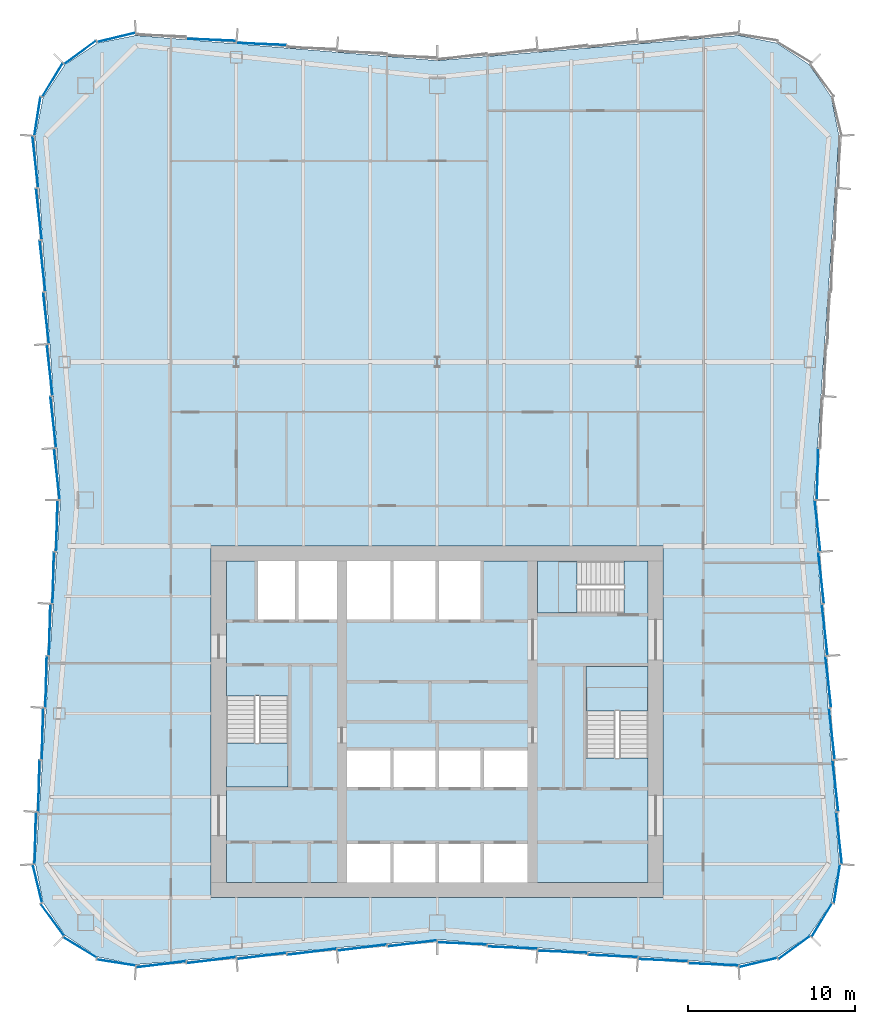
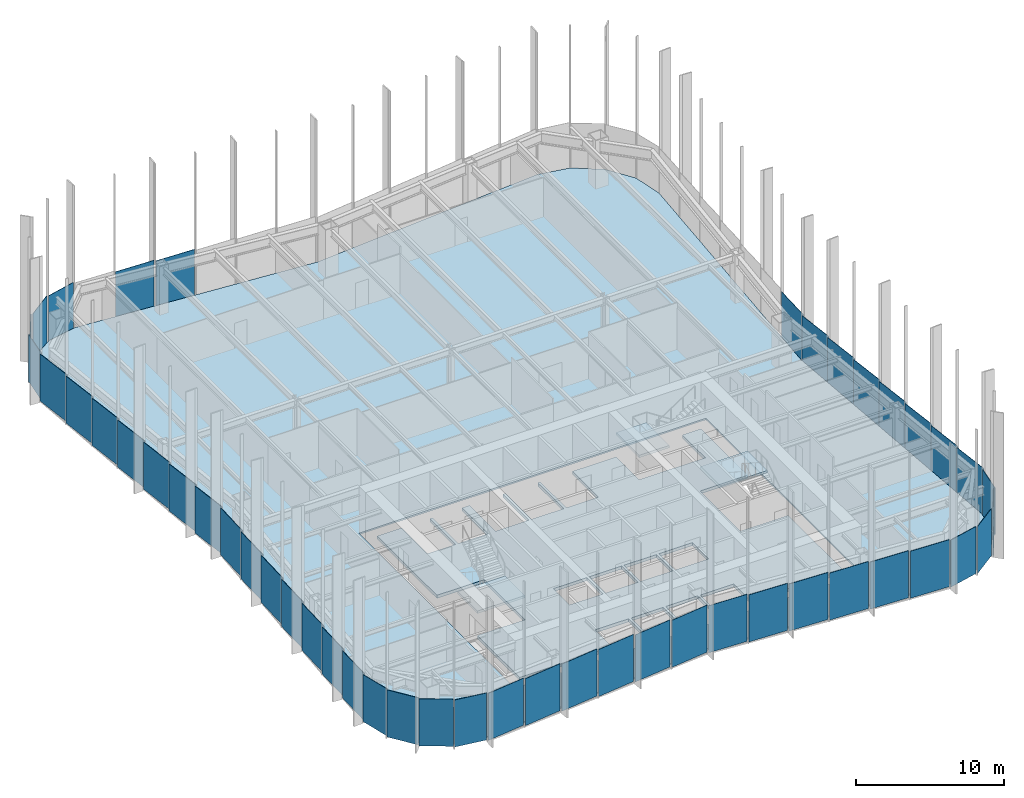
# One storey, part 8 of 13: 48 plates, 5 slabs, 10 elements without a shape of their own.
"""IFC4 building model written with IfcOpenShell, lengths in metres."""

from ifc_helpers import new_model, si_unit, direction, frame, origin, origin_2d, place, context, subcontext, project, spatial, polyline, rectangle, outline, extrude, material, layer, layer_set, type_object, element, aggregate, save


model = new_model("IFC4")

# Units and contexts
model_context = context("Model", 3, precision=1e-05, world=origin(), true_north=direction((0.0, 1.0)))
body_context = subcontext(model_context, "Body", "Model", "MODEL_VIEW")
ifc_project = project(units=[si_unit("LENGTHUNIT", "METRE"), si_unit("AREAUNIT", "SQUARE_METRE"), si_unit("VOLUMEUNIT", "CUBIC_METRE"), si_unit("PLANEANGLEUNIT", "RADIAN"), si_unit("MASSUNIT", "GRAM", prefix="KILO")], contexts=[model_context])

# Site, building, storey
site_placement = place(None, origin())
site = spatial("IfcSite", under=ifc_project, at=site_placement, CompositionType="ELEMENT")
building_placement = place(site_placement, origin())
building = spatial("IfcBuilding", under=site, at=building_placement, Name="Verdant Reach Tower", CompositionType="ELEMENT")
storey_placement = place(building_placement, frame((0.0, 0.0, 206.0)))
storey = spatial("IfcBuildingStorey", under=building, at=storey_placement, Name="L47", CompositionType="ELEMENT", Elevation=206.0)

# Stair, slab
ifc_material_1 = material(Name="Concrete C40/50", Category="concrete")
stair_type = type_object("IfcStairType", Name="CO-STAIR", PredefinedType="HALF_TURN_STAIR", material=ifc_material_1)
stair_1_placement = place(storey_placement, origin())
stair_1 = element("IfcStair", 1, at=stair_1_placement, inside=storey, type_object=stair_type, Name="L47 Exit stair 1", PredefinedType="HALF_TURN_STAIR")
ifc_layer_1 = layer(ifc_material_1, 0.199951171875)
ifc_layer_set_1 = layer_set([ifc_layer_1], Name="CO-STAIR-LANDING")
slab_type_1 = type_object("IfcSlabType", Name="CO-STAIR-LANDING", PredefinedType="LANDING", material=ifc_layer_set_1)
slab_1_placement = place(storey_placement, frame((0.0, 0.0, 1.800048828125)))
slab_1 = element("IfcSlab", 2, at=slab_1_placement, type_object=slab_type_1, Name="ST-1 landing 1", PredefinedType="LANDING", context=body_context, shape_type="SweptSolid", body=[
    extrude(outline(polyline([(-12.60009765625, 26.75), (-12.60009765625, 24.10009765625), (-8.89990234375, 24.10009765625), (-8.89990234375, 26.75), (-12.60009765625, 26.75)])), origin(), (0.0, 0.0, 1.0), 0.199951171875),
])
aggregate(stair_1, [slab_1])

stair_2_placement = place(storey_placement, origin())
stair_2 = element("IfcStair", 3, at=stair_2_placement, inside=storey, type_object=stair_type, Name="L47 Exit stair 2", PredefinedType="HALF_TURN_STAIR")
slab_2_placement = place(storey_placement, frame((0.0, 0.0, 1.800048828125)))
slab_2 = element("IfcSlab", 4, at=slab_2_placement, type_object=slab_type_1, Name="ST-2 landing 1", PredefinedType="LANDING", context=body_context, shape_type="SweptSolid", body=[
    extrude(outline(polyline([(12.60009765625, 28.64990234375), (12.60009765625, 31.300048828125), (8.89990234375, 31.300048828125), (8.89990234375, 28.64990234375), (12.60009765625, 28.64990234375)])), origin(), (0.0, 0.0, 1.0), 0.199951171875),
])
aggregate(stair_2, [slab_2])

stair_3_placement = place(storey_placement, origin())
stair_3 = element("IfcStair", 5, at=stair_3_placement, inside=storey, type_object=stair_type, Name="L47 Exit stair 3", PredefinedType="HALF_TURN_STAIR")
slab_3_placement = place(storey_placement, frame((0.0, 0.0, 1.800048828125)))
slab_3 = element("IfcSlab", 6, at=slab_3_placement, type_object=slab_type_1, Name="ST-3 landing 1", PredefinedType="LANDING", context=body_context, shape_type="SweptSolid", body=[
    extrude(outline(polyline([(8.35009765625, 37.60009765625), (6.0, 37.60009765625), (6.0, 34.5), (8.35009765625, 34.5), (8.35009765625, 37.60009765625)])), origin(), (0.0, 0.0, 1.0), 0.199951171875),
])
aggregate(stair_3, [slab_3])

# Curtain wall, plate
ifc_material_2 = material(Name="Anodised aluminium", Category="aluminium")
curtain_wall_type = type_object("IfcCurtainWallType", Name="EN-CW SYSTEM Z3", PredefinedType="NOTDEFINED", material=ifc_material_2)
curtain_wall_1_placement = place(storey_placement, origin())
curtain_wall_1 = element("IfcCurtainWall", 7, at=curtain_wall_1_placement, inside=storey, type_object=curtain_wall_type, Name="Curtain wall south-east corner, L47", PredefinedType="NOTDEFINED")
ifc_material_3 = material(Name="Tinted glass with champagne spandrel", Category="glass")
ifc_layer_2 = layer(ifc_material_3, 0.031982421875)
ifc_layer_set_2 = layer_set([ifc_layer_2], Name="EN-PANEL CHAMPAGNE")
plate_type_1 = type_object("IfcPlateType", Name="EN-PANEL CHAMPAGNE", PredefinedType="CURTAIN_PANEL", material=ifc_layer_set_2)
plate_1_placement = place(storey_placement, frame((19.171875, 13.62353515625, -0.22412109375), z_axis=(0.0, 0.0, 1.0), x_axis=(0.971655117833, 0.236402901821, 0.0)))
plate_1 = element("IfcPlate", 8, at=plate_1_placement, type_object=plate_type_1, Name="Glass panel south-east corner 1.1, L47", PredefinedType="CURTAIN_PANEL", context=body_context, shape_type="SweptSolid", body=[
    extrude(rectangle(XDim=2.3154296875, YDim=0.031982421875, at=origin_2d()), origin(), (0.0, 0.0, 1.0), 3.8740234375),
])

# Curtain wall, plates
curtain_wall_2_placement = place(storey_placement, origin())
curtain_wall_2 = element("IfcCurtainWall", 9, at=curtain_wall_2_placement, inside=storey, type_object=curtain_wall_type, Name="Curtain wall east, L47", PredefinedType="NOTDEFINED")
plate_2_placement = place(storey_placement, frame((23.14453125, 33.48974609375, -0.22412109375), z_axis=(0.0, 0.0, 1.0), x_axis=(-0.110518162674, 0.993874104562, 0.0)))
plate_2 = element("IfcPlate", 10, at=plate_2_placement, type_object=plate_type_1, Name="Glass panel east face part 1 5.1, L47", PredefinedType="CURTAIN_PANEL", context=body_context, shape_type="SweptSolid", body=[
    extrude(rectangle(XDim=3.052490234375, YDim=0.031982421875, at=origin_2d()), origin(), (0.0, 0.0, 1.0), 3.8740234375),
])
plate_3_placement = place(storey_placement, frame((22.93017578125, 36.5966796875, -0.22412109375), z_axis=(0.0, 0.0, 1.0), x_axis=(-0.110518162674, 0.993874104562, 0.0)))
plate_3 = element("IfcPlate", 11, at=plate_3_placement, type_object=plate_type_1, Name="Glass panel east face part 1 6.1, L47", PredefinedType="CURTAIN_PANEL", context=body_context, shape_type="SweptSolid", body=[
    extrude(rectangle(XDim=3.052490234375, YDim=0.031982421875, at=origin_2d()), origin(), (0.0, 0.0, 1.0), 3.8740234375),
])
plate_4_placement = place(storey_placement, frame((22.716064453125, 39.7001953125, -0.22412109375), z_axis=(0.0, 0.0, 1.0), x_axis=(-0.110600785385, 0.993864913493, 0.0)))
plate_4 = element("IfcPlate", 12, at=plate_4_placement, type_object=plate_type_1, Name="Glass panel east face part 1 7.1, L47", PredefinedType="CURTAIN_PANEL", context=body_context, shape_type="SweptSolid", body=[
    extrude(rectangle(XDim=3.044921875, YDim=0.031982421875, at=origin_2d()), origin(), (0.0, 0.0, 1.0), 3.8740234375),
])
plate_5_placement = place(storey_placement, frame((22.716064453125, 42.7998046875, -0.22412109375), z_axis=(0.0, 0.0, 1.0), x_axis=(0.027048420339, 0.999634124546, 0.0)))
plate_5 = element("IfcPlate", 13, at=plate_5_placement, type_object=plate_type_1, Name="Glass panel east face part 2 1.1, L47", PredefinedType="CURTAIN_PANEL", context=body_context, shape_type="SweptSolid", body=[
    extrude(rectangle(XDim=3.044921875, YDim=0.031982421875, at=origin_2d()), origin(), (0.0, 0.0, 1.0), 3.8740234375),
])

# Curtain wall, plate
curtain_wall_3_placement = place(storey_placement, origin())
curtain_wall_3 = element("IfcCurtainWall", 14, at=curtain_wall_3_placement, inside=storey, type_object=curtain_wall_type, Name="Curtain wall north, L47", PredefinedType="NOTDEFINED")
plate_6_placement = place(storey_placement, frame((-13.490966796875, 68.733642578125, -0.22412109375), z_axis=(0.0, 0.0, 1.0), x_axis=(-0.999149202059, 0.041241629766, 0.0)))
plate_6 = element("IfcPlate", 15, at=plate_6_placement, type_object=plate_type_1, Name="Glass panel north face part 2 5.1, L47", PredefinedType="CURTAIN_PANEL", context=body_context, shape_type="SweptSolid", body=[
    extrude(rectangle(XDim=2.948486328125, YDim=0.031982421875, at=origin_2d()), origin(), (0.0, 0.0, 1.0), 3.8740234375),
])

curtain_wall_4_placement = place(storey_placement, origin())
curtain_wall_4 = element("IfcCurtainWall", 16, at=curtain_wall_4_placement, inside=storey, type_object=curtain_wall_type, Name="Curtain wall north-west corner, L47", PredefinedType="NOTDEFINED")
plate_7_placement = place(storey_placement, frame((-23.87646484375, 64.17236328125, -0.22412109375), z_axis=(0.0, 0.0, 1.0), x_axis=(-0.154311870796, -0.988022189291, 0.0)))
plate_7 = element("IfcPlate", 17, at=plate_7_placement, type_object=plate_type_1, Name="Glass panel north-west corner 4.1, L47", PredefinedType="CURTAIN_PANEL", context=body_context, shape_type="SweptSolid", body=[
    extrude(rectangle(XDim=2.314697265625, YDim=0.031982421875, at=origin_2d()), origin(), (0.0, 0.0, 1.0), 3.8740234375),
])

# Curtain wall, plates
curtain_wall_5_placement = place(storey_placement, origin())
curtain_wall_5 = element("IfcCurtainWall", 18, at=curtain_wall_5_placement, inside=storey, type_object=curtain_wall_type, Name="Curtain wall west, L47", PredefinedType="NOTDEFINED")
plate_8_placement = place(storey_placement, frame((-23.787353515625, 58.331787109375, -0.22412109375), z_axis=(0.0, 0.0, 1.0), x_axis=(0.110518162674, -0.993874104562, 0.0)))
plate_8 = element("IfcPlate", 19, at=plate_8_placement, type_object=plate_type_1, Name="Glass panel west face part 1 2.1, L47", PredefinedType="CURTAIN_PANEL", context=body_context, shape_type="SweptSolid", body=[
    extrude(rectangle(XDim=3.052490234375, YDim=0.031982421875, at=origin_2d()), origin(), (0.0, 0.0, 1.0), 3.8740234375),
])
plate_9_placement = place(storey_placement, frame((-23.572998046875, 55.224609375, -0.22412109375), z_axis=(0.0, 0.0, 1.0), x_axis=(0.110518162674, -0.993874104562, 0.0)))
plate_9 = element("IfcPlate", 20, at=plate_9_placement, type_object=plate_type_1, Name="Glass panel west face part 1 3.1, L47", PredefinedType="CURTAIN_PANEL", context=body_context, shape_type="SweptSolid", body=[
    extrude(rectangle(XDim=3.052490234375, YDim=0.031982421875, at=origin_2d()), origin(), (0.0, 0.0, 1.0), 3.8740234375),
])
plate_10_placement = place(storey_placement, frame((-23.14453125, 33.48974609375, -0.22412109375), z_axis=(0.0, 0.0, 1.0), x_axis=(-0.026965318308, -0.999636369691, 0.0)))
plate_10 = element("IfcPlate", 21, at=plate_10_placement, type_object=plate_type_1, Name="Glass panel west face part 2 3.1, L47", PredefinedType="CURTAIN_PANEL", context=body_context, shape_type="SweptSolid", body=[
    extrude(rectangle(XDim=3.052490234375, YDim=0.031982421875, at=origin_2d()), origin(), (0.0, 0.0, 1.0), 3.8740234375),
])
plate_11_placement = place(storey_placement, frame((-23.358642578125, 30.382568359375, -0.22412109375), z_axis=(0.0, 0.0, 1.0), x_axis=(-0.026965318308, -0.999636369691, 0.0)))
plate_11 = element("IfcPlate", 22, at=plate_11_placement, type_object=plate_type_1, Name="Glass panel west face part 2 4.1, L47", PredefinedType="CURTAIN_PANEL", context=body_context, shape_type="SweptSolid", body=[
    extrude(rectangle(XDim=3.052490234375, YDim=0.031982421875, at=origin_2d()), origin(), (0.0, 0.0, 1.0), 3.8740234375),
])
plate_12_placement = place(storey_placement, frame((-23.572998046875, 27.275390625, -0.22412109375), z_axis=(0.0, 0.0, 1.0), x_axis=(-0.026965318308, -0.999636369691, 0.0)))
plate_12 = element("IfcPlate", 23, at=plate_12_placement, type_object=plate_type_1, Name="Glass panel west face part 2 5.1, L47", PredefinedType="CURTAIN_PANEL", context=body_context, shape_type="SweptSolid", body=[
    extrude(rectangle(XDim=3.052490234375, YDim=0.031982421875, at=origin_2d()), origin(), (0.0, 0.0, 1.0), 3.8740234375),
])

curtain_wall_6_placement = place(storey_placement, origin())
curtain_wall_6 = element("IfcCurtainWall", 24, at=curtain_wall_6_placement, inside=storey, type_object=curtain_wall_type, Name="Curtain wall south-west corner, L47", PredefinedType="NOTDEFINED")
plate_13_placement = place(storey_placement, frame((-22.98193359375, 16.171142578125, -0.22412109375), z_axis=(0.0, 0.0, 1.0), x_axis=(0.589926747542, -0.807456768214, 0.0)))
plate_13 = element("IfcPlate", 25, at=plate_13_placement, type_object=plate_type_1, Name="Glass panel south-west corner 2.1, L47", PredefinedType="CURTAIN_PANEL", context=body_context, shape_type="SweptSolid", body=[
    extrude(rectangle(XDim=2.321533203125, YDim=0.031982421875, at=origin_2d()), origin(), (0.0, 0.0, 1.0), 3.8740234375),
])
plate_14_placement = place(storey_placement, frame((-21.328857421875, 14.51806640625, -0.22412109375), z_axis=(0.0, 0.0, 1.0), x_axis=(0.853988701636, -0.520291550457, 0.0)))
plate_14 = element("IfcPlate", 26, at=plate_14_placement, type_object=plate_type_1, Name="Glass panel south-west corner 3.1, L47", PredefinedType="CURTAIN_PANEL", context=body_context, shape_type="SweptSolid", body=[
    extrude(rectangle(XDim=2.321533203125, YDim=0.031982421875, at=origin_2d()), origin(), (0.0, 0.0, 1.0), 3.8740234375),
])

curtain_wall_7_placement = place(storey_placement, origin())
curtain_wall_7 = element("IfcCurtainWall", 27, at=curtain_wall_7_placement, inside=storey, type_object=curtain_wall_type, Name="Curtain wall south, L47", PredefinedType="NOTDEFINED")
plate_15_placement = place(storey_placement, frame((-16.49853515625, 13.516357421875, -0.22412109375), z_axis=(0.0, 0.0, 1.0), x_axis=(0.992237766434, 0.124355196363, 0.0)))
plate_15 = element("IfcPlate", 28, at=plate_15_placement, type_object=plate_type_1, Name="Glass panel south face part 1 1.1, L47", PredefinedType="CURTAIN_PANEL", context=body_context, shape_type="SweptSolid", body=[
    extrude(rectangle(XDim=2.963623046875, YDim=0.031982421875, at=origin_2d()), origin(), (0.0, 0.0, 1.0), 3.8740234375),
])
plate_16_placement = place(storey_placement, frame((1.495361328125, 14.76611328125, -0.22412109375), z_axis=(0.0, 0.0, 1.0), x_axis=(0.999144020525, -0.041366970501, 0.0)))
plate_16 = element("IfcPlate", 29, at=plate_16_placement, type_object=plate_type_1, Name="Glass panel south face part 2 1.1, L47", PredefinedType="CURTAIN_PANEL", context=body_context, shape_type="SweptSolid", body=[
    extrude(rectangle(XDim=2.939453125, YDim=0.031982421875, at=origin_2d()), origin(), (0.0, 0.0, 1.0), 3.8740234375),
])
plate_17_placement = place(storey_placement, frame((4.490966796875, 14.516357421875, -0.22412109375), z_axis=(0.0, 0.0, 1.0), x_axis=(0.999149202059, -0.041241629766, 0.0)))
plate_17 = element("IfcPlate", 30, at=plate_17_placement, type_object=plate_type_1, Name="Glass panel south face part 2 2.1, L47", PredefinedType="CURTAIN_PANEL", context=body_context, shape_type="SweptSolid", body=[
    extrude(rectangle(XDim=2.948486328125, YDim=0.031982421875, at=origin_2d()), origin(), (0.0, 0.0, 1.0), 3.8740234375),
])
plate_18_placement = place(storey_placement, frame((7.490966796875, 14.266357421875, -0.22412109375), z_axis=(0.0, 0.0, 1.0), x_axis=(0.999149202059, -0.041241629766, 0.0)))
plate_18 = element("IfcPlate", 31, at=plate_18_placement, type_object=plate_type_1, Name="Glass panel south face part 2 3.1, L47", PredefinedType="CURTAIN_PANEL", context=body_context, shape_type="SweptSolid", body=[
    extrude(rectangle(XDim=2.948486328125, YDim=0.031982421875, at=origin_2d()), origin(), (0.0, 0.0, 1.0), 3.8740234375),
])

# Plate
ifc_material_4 = material(Name="Tinted glass with copper spandrel", Category="glass")
ifc_layer_3 = layer(ifc_material_4, 0.031982421875)
ifc_layer_set_3 = layer_set([ifc_layer_3], Name="EN-PANEL COPPER")
plate_type_2 = type_object("IfcPlateType", Name="EN-PANEL COPPER", PredefinedType="CURTAIN_PANEL", material=ifc_layer_set_3)
plate_19_placement = place(storey_placement, frame((21.328857421875, 14.51806640625, -0.22412109375), z_axis=(0.0, 0.0, 1.0), x_axis=(0.807456768214, 0.589926747542, 0.0)))
plate_19 = element("IfcPlate", 32, at=plate_19_placement, type_object=plate_type_2, Name="Glass panel south-east corner 2.1, L47", PredefinedType="CURTAIN_PANEL", context=body_context, shape_type="SweptSolid", body=[
    extrude(rectangle(XDim=2.321533203125, YDim=0.031982421875, at=origin_2d()), origin(), (0.0, 0.0, 1.0), 3.8740234375),
])

plate_20_placement = place(storey_placement, frame((22.98193359375, 16.171142578125, -0.22412109375), z_axis=(0.0, 0.0, 1.0), x_axis=(0.520291550457, 0.853988701636, 0.0)))
plate_20 = element("IfcPlate", 33, at=plate_20_placement, type_object=plate_type_2, Name="Glass panel south-east corner 3.1, L47", PredefinedType="CURTAIN_PANEL", context=body_context, shape_type="SweptSolid", body=[
    extrude(rectangle(XDim=2.321533203125, YDim=0.031982421875, at=origin_2d()), origin(), (0.0, 0.0, 1.0), 3.8740234375),
])

plate_21_placement = place(storey_placement, frame((23.87646484375, 18.32763671875, -0.22412109375), z_axis=(0.0, 0.0, 1.0), x_axis=(0.154311870796, 0.988022189291, 0.0)))
plate_21 = element("IfcPlate", 34, at=plate_21_placement, type_object=plate_type_2, Name="Glass panel south-east corner 4.1, L47", PredefinedType="CURTAIN_PANEL", context=body_context, shape_type="SweptSolid", body=[
    extrude(rectangle(XDim=2.314697265625, YDim=0.031982421875, at=origin_2d()), origin(), (0.0, 0.0, 1.0), 3.8740234375),
])

aggregate(curtain_wall_1, [plate_1, plate_19, plate_20, plate_21])

plate_22_placement = place(storey_placement, frame((24.001708984375, 21.053955078125, -0.22412109375), z_axis=(0.0, 0.0, 1.0), x_axis=(-0.110214229533, 0.993907854687, 0.0)))
plate_22 = element("IfcPlate", 35, at=plate_22_placement, type_object=plate_type_2, Name="Glass panel east face part 1 1.1, L47", PredefinedType="CURTAIN_PANEL", context=body_context, shape_type="SweptSolid", body=[
    extrude(rectangle(XDim=3.06689453125, YDim=0.031982421875, at=origin_2d()), origin(), (0.0, 0.0, 1.0), 3.8740234375),
])

plate_23_placement = place(storey_placement, frame((23.787353515625, 24.168212890625, -0.22412109375), z_axis=(0.0, 0.0, 1.0), x_axis=(-0.110518162674, 0.993874104562, 0.0)))
plate_23 = element("IfcPlate", 36, at=plate_23_placement, type_object=plate_type_2, Name="Glass panel east face part 1 2.1, L47", PredefinedType="CURTAIN_PANEL", context=body_context, shape_type="SweptSolid", body=[
    extrude(rectangle(XDim=3.052490234375, YDim=0.031982421875, at=origin_2d()), origin(), (0.0, 0.0, 1.0), 3.8740234375),
])

plate_24_placement = place(storey_placement, frame((-23.358642578125, 52.117431640625, -0.22412109375), z_axis=(0.0, 0.0, 1.0), x_axis=(0.110518162674, -0.993874104562, 0.0)))
plate_24 = element("IfcPlate", 37, at=plate_24_placement, type_object=plate_type_2, Name="Glass panel west face part 1 4.1, L47", PredefinedType="CURTAIN_PANEL", context=body_context, shape_type="SweptSolid", body=[
    extrude(rectangle(XDim=3.052490234375, YDim=0.031982421875, at=origin_2d()), origin(), (0.0, 0.0, 1.0), 3.8740234375),
])

plate_25_placement = place(storey_placement, frame((-23.14453125, 49.01025390625, -0.22412109375), z_axis=(0.0, 0.0, 1.0), x_axis=(0.110518162674, -0.993874104562, 0.0)))
plate_25 = element("IfcPlate", 38, at=plate_25_placement, type_object=plate_type_2, Name="Glass panel west face part 1 5.1, L47", PredefinedType="CURTAIN_PANEL", context=body_context, shape_type="SweptSolid", body=[
    extrude(rectangle(XDim=3.052490234375, YDim=0.031982421875, at=origin_2d()), origin(), (0.0, 0.0, 1.0), 3.8740234375),
])

plate_26_placement = place(storey_placement, frame((-22.93017578125, 45.9033203125, -0.22412109375), z_axis=(0.0, 0.0, 1.0), x_axis=(0.110518162674, -0.993874104562, 0.0)))
plate_26 = element("IfcPlate", 39, at=plate_26_placement, type_object=plate_type_2, Name="Glass panel west face part 1 6.1, L47", PredefinedType="CURTAIN_PANEL", context=body_context, shape_type="SweptSolid", body=[
    extrude(rectangle(XDim=3.052490234375, YDim=0.031982421875, at=origin_2d()), origin(), (0.0, 0.0, 1.0), 3.8740234375),
])

plate_27_placement = place(storey_placement, frame((-23.787353515625, 24.168212890625, -0.22412109375), z_axis=(0.0, 0.0, 1.0), x_axis=(-0.026965318308, -0.999636369691, 0.0)))
plate_27 = element("IfcPlate", 40, at=plate_27_placement, type_object=plate_type_2, Name="Glass panel west face part 2 6.1, L47", PredefinedType="CURTAIN_PANEL", context=body_context, shape_type="SweptSolid", body=[
    extrude(rectangle(XDim=3.052490234375, YDim=0.031982421875, at=origin_2d()), origin(), (0.0, 0.0, 1.0), 3.8740234375),
])

plate_28_placement = place(storey_placement, frame((-24.001708984375, 21.053955078125, -0.22412109375), z_axis=(0.0, 0.0, 1.0), x_axis=(-0.026659626966, -0.999644568979, 0.0)))
plate_28 = element("IfcPlate", 41, at=plate_28_placement, type_object=plate_type_2, Name="Glass panel west face part 2 7.1, L47", PredefinedType="CURTAIN_PANEL", context=body_context, shape_type="SweptSolid", body=[
    extrude(rectangle(XDim=3.06689453125, YDim=0.031982421875, at=origin_2d()), origin(), (0.0, 0.0, 1.0), 3.8740234375),
])

plate_29_placement = place(storey_placement, frame((-19.171875, 13.62353515625, -0.22412109375), z_axis=(0.0, 0.0, 1.0), x_axis=(0.988029071555, -0.154267798848, 0.0)))
plate_29 = element("IfcPlate", 42, at=plate_29_placement, type_object=plate_type_2, Name="Glass panel south-west corner 4.1, L47", PredefinedType="CURTAIN_PANEL", context=body_context, shape_type="SweptSolid", body=[
    extrude(rectangle(XDim=2.3154296875, YDim=0.031982421875, at=origin_2d()), origin(), (0.0, 0.0, 1.0), 3.8740234375),
])

plate_30_placement = place(storey_placement, frame((-13.490966796875, 13.766357421875, -0.22412109375), z_axis=(0.0, 0.0, 1.0), x_axis=(0.992194034542, 0.124703639961, 0.0)))
plate_30 = element("IfcPlate", 43, at=plate_30_placement, type_object=plate_type_2, Name="Glass panel south face part 1 2.1, L47", PredefinedType="CURTAIN_PANEL", context=body_context, shape_type="SweptSolid", body=[
    extrude(rectangle(XDim=2.948486328125, YDim=0.031982421875, at=origin_2d()), origin(), (0.0, 0.0, 1.0), 3.8740234375),
])

plate_31_placement = place(storey_placement, frame((-10.490966796875, 14.016357421875, -0.22412109375), z_axis=(0.0, 0.0, 1.0), x_axis=(0.992194034542, 0.124703639961, 0.0)))
plate_31 = element("IfcPlate", 44, at=plate_31_placement, type_object=plate_type_2, Name="Glass panel south face part 1 3.1, L47", PredefinedType="CURTAIN_PANEL", context=body_context, shape_type="SweptSolid", body=[
    extrude(rectangle(XDim=2.948486328125, YDim=0.031982421875, at=origin_2d()), origin(), (0.0, 0.0, 1.0), 3.8740234375),
])

plate_32_placement = place(storey_placement, frame((-7.490966796875, 14.266357421875, -0.22412109375), z_axis=(0.0, 0.0, 1.0), x_axis=(0.992194034542, 0.124703639961, 0.0)))
plate_32 = element("IfcPlate", 45, at=plate_32_placement, type_object=plate_type_2, Name="Glass panel south face part 1 4.1, L47", PredefinedType="CURTAIN_PANEL", context=body_context, shape_type="SweptSolid", body=[
    extrude(rectangle(XDim=2.948486328125, YDim=0.031982421875, at=origin_2d()), origin(), (0.0, 0.0, 1.0), 3.8740234375),
])

plate_33_placement = place(storey_placement, frame((10.490966796875, 14.016357421875, -0.22412109375), z_axis=(0.0, 0.0, 1.0), x_axis=(0.999149202059, -0.041241629766, 0.0)))
plate_33 = element("IfcPlate", 46, at=plate_33_placement, type_object=plate_type_2, Name="Glass panel south face part 2 4.1, L47", PredefinedType="CURTAIN_PANEL", context=body_context, shape_type="SweptSolid", body=[
    extrude(rectangle(XDim=2.948486328125, YDim=0.031982421875, at=origin_2d()), origin(), (0.0, 0.0, 1.0), 3.8740234375),
])

plate_34_placement = place(storey_placement, frame((13.490966796875, 13.766357421875, -0.22412109375), z_axis=(0.0, 0.0, 1.0), x_axis=(0.999149202059, -0.041241629766, 0.0)))
plate_34 = element("IfcPlate", 47, at=plate_34_placement, type_object=plate_type_2, Name="Glass panel south face part 2 5.1, L47", PredefinedType="CURTAIN_PANEL", context=body_context, shape_type="SweptSolid", body=[
    extrude(rectangle(XDim=2.948486328125, YDim=0.031982421875, at=origin_2d()), origin(), (0.0, 0.0, 1.0), 3.8740234375),
])

ifc_material_5 = material(Name="Tinted glass with dark bronze spandrel", Category="glass")
ifc_layer_4 = layer(ifc_material_5, 0.031982421875)
ifc_layer_set_4 = layer_set([ifc_layer_4], Name="EN-PANEL DARK")
plate_type_3 = type_object("IfcPlateType", Name="EN-PANEL DARK", PredefinedType="CURTAIN_PANEL", material=ifc_layer_set_4)
plate_35_placement = place(storey_placement, frame((23.572998046875, 27.275390625, -0.22412109375), z_axis=(0.0, 0.0, 1.0), x_axis=(-0.110518162674, 0.993874104562, 0.0)))
plate_35 = element("IfcPlate", 48, at=plate_35_placement, type_object=plate_type_3, Name="Glass panel east face part 1 3.1, L47", PredefinedType="CURTAIN_PANEL", context=body_context, shape_type="SweptSolid", body=[
    extrude(rectangle(XDim=3.052490234375, YDim=0.031982421875, at=origin_2d()), origin(), (0.0, 0.0, 1.0), 3.8740234375),
])

plate_36_placement = place(storey_placement, frame((23.358642578125, 30.382568359375, -0.22412109375), z_axis=(0.0, 0.0, 1.0), x_axis=(-0.110518162674, 0.993874104562, 0.0)))
plate_36 = element("IfcPlate", 49, at=plate_36_placement, type_object=plate_type_3, Name="Glass panel east face part 1 4.1, L47", PredefinedType="CURTAIN_PANEL", context=body_context, shape_type="SweptSolid", body=[
    extrude(rectangle(XDim=3.052490234375, YDim=0.031982421875, at=origin_2d()), origin(), (0.0, 0.0, 1.0), 3.8740234375),
])

aggregate(curtain_wall_2, [plate_22, plate_23, plate_35, plate_36, plate_2, plate_3, plate_4, plate_5])

plate_37_placement = place(storey_placement, frame((-10.490966796875, 68.483642578125, -0.22412109375), z_axis=(0.0, 0.0, 1.0), x_axis=(-0.999149202059, 0.041241629766, 0.0)))
plate_37 = element("IfcPlate", 50, at=plate_37_placement, type_object=plate_type_3, Name="Glass panel north face part 2 4.1, L47", PredefinedType="CURTAIN_PANEL", context=body_context, shape_type="SweptSolid", body=[
    extrude(rectangle(XDim=2.948486328125, YDim=0.031982421875, at=origin_2d()), origin(), (0.0, 0.0, 1.0), 3.8740234375),
])

aggregate(curtain_wall_3, [plate_37, plate_6])

plate_38_placement = place(storey_placement, frame((-19.171875, 68.87646484375, -0.22412109375), z_axis=(0.0, 0.0, 1.0), x_axis=(-0.971655117833, -0.236402901821, 0.0)))
plate_38 = element("IfcPlate", 51, at=plate_38_placement, type_object=plate_type_3, Name="Glass panel north-west corner 1.1, L47", PredefinedType="CURTAIN_PANEL", context=body_context, shape_type="SweptSolid", body=[
    extrude(rectangle(XDim=2.3154296875, YDim=0.031982421875, at=origin_2d()), origin(), (0.0, 0.0, 1.0), 3.8740234375),
])

plate_39_placement = place(storey_placement, frame((-21.328857421875, 67.98193359375, -0.22412109375), z_axis=(0.0, 0.0, 1.0), x_axis=(-0.807456768214, -0.589926747542, 0.0)))
plate_39 = element("IfcPlate", 52, at=plate_39_placement, type_object=plate_type_3, Name="Glass panel north-west corner 2.1, L47", PredefinedType="CURTAIN_PANEL", context=body_context, shape_type="SweptSolid", body=[
    extrude(rectangle(XDim=2.321533203125, YDim=0.031982421875, at=origin_2d()), origin(), (0.0, 0.0, 1.0), 3.8740234375),
])

plate_40_placement = place(storey_placement, frame((-22.98193359375, 66.328857421875, -0.22412109375), z_axis=(0.0, 0.0, 1.0), x_axis=(-0.520291550457, -0.853988701636, 0.0)))
plate_40 = element("IfcPlate", 53, at=plate_40_placement, type_object=plate_type_3, Name="Glass panel north-west corner 3.1, L47", PredefinedType="CURTAIN_PANEL", context=body_context, shape_type="SweptSolid", body=[
    extrude(rectangle(XDim=2.321533203125, YDim=0.031982421875, at=origin_2d()), origin(), (0.0, 0.0, 1.0), 3.8740234375),
])

aggregate(curtain_wall_4, [plate_38, plate_39, plate_40, plate_7])

plate_41_placement = place(storey_placement, frame((-24.001708984375, 61.446044921875, -0.22412109375), z_axis=(0.0, 0.0, 1.0), x_axis=(0.110214229533, -0.993907854687, 0.0)))
plate_41 = element("IfcPlate", 54, at=plate_41_placement, type_object=plate_type_3, Name="Glass panel west face part 1 1.1, L47", PredefinedType="CURTAIN_PANEL", context=body_context, shape_type="SweptSolid", body=[
    extrude(rectangle(XDim=3.06689453125, YDim=0.031982421875, at=origin_2d()), origin(), (0.0, 0.0, 1.0), 3.8740234375),
])

plate_42_placement = place(storey_placement, frame((-22.716064453125, 42.7998046875, -0.22412109375), z_axis=(0.0, 0.0, 1.0), x_axis=(0.110600785385, -0.993864913493, 0.0)))
plate_42 = element("IfcPlate", 55, at=plate_42_placement, type_object=plate_type_3, Name="Glass panel west face part 1 7.1, L47", PredefinedType="CURTAIN_PANEL", context=body_context, shape_type="SweptSolid", body=[
    extrude(rectangle(XDim=3.044921875, YDim=0.031982421875, at=origin_2d()), origin(), (0.0, 0.0, 1.0), 3.8740234375),
])

plate_43_placement = place(storey_placement, frame((-22.716064453125, 39.7001953125, -0.22412109375), z_axis=(0.0, 0.0, 1.0), x_axis=(-0.027048420339, -0.999634124546, 0.0)))
plate_43 = element("IfcPlate", 56, at=plate_43_placement, type_object=plate_type_3, Name="Glass panel west face part 2 1.1, L47", PredefinedType="CURTAIN_PANEL", context=body_context, shape_type="SweptSolid", body=[
    extrude(rectangle(XDim=3.044921875, YDim=0.031982421875, at=origin_2d()), origin(), (0.0, 0.0, 1.0), 3.8740234375),
])

plate_44_placement = place(storey_placement, frame((-22.93017578125, 36.5966796875, -0.22412109375), z_axis=(0.0, 0.0, 1.0), x_axis=(-0.026965318308, -0.999636369691, 0.0)))
plate_44 = element("IfcPlate", 57, at=plate_44_placement, type_object=plate_type_3, Name="Glass panel west face part 2 2.1, L47", PredefinedType="CURTAIN_PANEL", context=body_context, shape_type="SweptSolid", body=[
    extrude(rectangle(XDim=3.052490234375, YDim=0.031982421875, at=origin_2d()), origin(), (0.0, 0.0, 1.0), 3.8740234375),
])

aggregate(curtain_wall_5, [plate_41, plate_8, plate_9, plate_24, plate_25, plate_26, plate_42, plate_43, plate_44, plate_10, plate_11, plate_12, plate_27, plate_28])

plate_45_placement = place(storey_placement, frame((-23.87646484375, 18.32763671875, -0.22412109375), z_axis=(0.0, 0.0, 1.0), x_axis=(0.23644624331, -0.97164457186, 0.0)))
plate_45 = element("IfcPlate", 58, at=plate_45_placement, type_object=plate_type_3, Name="Glass panel south-west corner 1.1, L47", PredefinedType="CURTAIN_PANEL", context=body_context, shape_type="SweptSolid", body=[
    extrude(rectangle(XDim=2.314697265625, YDim=0.031982421875, at=origin_2d()), origin(), (0.0, 0.0, 1.0), 3.8740234375),
])

aggregate(curtain_wall_6, [plate_45, plate_13, plate_14, plate_29])

plate_46_placement = place(storey_placement, frame((-4.490966796875, 14.516357421875, -0.22412109375), z_axis=(0.0, 0.0, 1.0), x_axis=(0.992194034542, 0.124703639961, 0.0)))
plate_46 = element("IfcPlate", 59, at=plate_46_placement, type_object=plate_type_3, Name="Glass panel south face part 1 5.1, L47", PredefinedType="CURTAIN_PANEL", context=body_context, shape_type="SweptSolid", body=[
    extrude(rectangle(XDim=2.948486328125, YDim=0.031982421875, at=origin_2d()), origin(), (0.0, 0.0, 1.0), 3.8740234375),
])

plate_47_placement = place(storey_placement, frame((-1.495361328125, 14.76611328125, -0.22412109375), z_axis=(0.0, 0.0, 1.0), x_axis=(0.992178382939, 0.124828107529, 0.0)))
plate_47 = element("IfcPlate", 60, at=plate_47_placement, type_object=plate_type_3, Name="Glass panel south face part 1 6.1, L47", PredefinedType="CURTAIN_PANEL", context=body_context, shape_type="SweptSolid", body=[
    extrude(rectangle(XDim=2.939453125, YDim=0.031982421875, at=origin_2d()), origin(), (0.0, 0.0, 1.0), 3.8740234375),
])

plate_48_placement = place(storey_placement, frame((16.49853515625, 13.516357421875, -0.22412109375), z_axis=(0.0, 0.0, 1.0), x_axis=(0.999163623568, -0.040890748818, 0.0)))
plate_48 = element("IfcPlate", 61, at=plate_48_placement, type_object=plate_type_3, Name="Glass panel south face part 2 6.1, L47", PredefinedType="CURTAIN_PANEL", context=body_context, shape_type="SweptSolid", body=[
    extrude(rectangle(XDim=2.963623046875, YDim=0.031982421875, at=origin_2d()), origin(), (0.0, 0.0, 1.0), 3.8740234375),
])

aggregate(curtain_wall_7, [plate_15, plate_30, plate_31, plate_32, plate_46, plate_47, plate_16, plate_17, plate_18, plate_33, plate_34, plate_48])

# Slabs
ifc_material_6 = material(Name="Concrete C35/45", Category="concrete")
ifc_layer_5 = layer(ifc_material_6, 0.1298828125)
ifc_layer_set_5 = layer_set([ifc_layer_5], Name="ST-SLAB-130")
slab_type_2 = type_object("IfcSlabType", Name="ST-SLAB-130", PredefinedType="FLOOR", material=ifc_layer_set_5)
slab_4_placement = place(storey_placement, frame((0.0, 0.0, -0.1298828125)))
element("IfcSlab", 62, at=slab_4_placement, inside=storey, type_object=slab_type_2, Name="Floor slab L47", PredefinedType="FLOOR", context=body_context, shape_type="SweptSolid", body=[
    extrude(outline(polyline([(0.0, 15.0), (-18.0, 13.5), (-20.296142578125, 13.956787109375), (-22.24267578125, 15.25732421875), (-23.543212890625, 17.203857421875), (-24.0, 19.5), (-22.5, 41.25), (-24.0, 63.0), (-23.543212890625, 65.296142578125), (-22.24267578125, 67.24267578125), (-20.296142578125, 68.543212890625), (-18.0, 69.0), (0.0, 67.5), (18.0, 69.0), (20.296142578125, 68.543212890625), (22.24267578125, 67.24267578125), (23.543212890625, 65.296142578125), (24.0, 63.0), (22.5, 41.25), (24.0, 19.5), (23.543212890625, 17.203857421875), (22.24267578125, 15.25732421875), (20.296142578125, 13.956787109375), (18.0, 13.5), (0.0, 15.0)]), holes=[polyline([(13.5, 38.5), (-13.5, 38.5), (-13.5, 17.5), (13.5, 17.5), (13.5, 38.5)])]), origin(), (0.0, 0.0, 1.0), 0.1298828125),
])
ifc_layer_6 = layer(ifc_material_6, 0.25)
ifc_layer_set_6 = layer_set([ifc_layer_6], Name="ST-SLAB-250")
slab_type_3 = type_object("IfcSlabType", Name="ST-SLAB-250", PredefinedType="FLOOR", material=ifc_layer_set_6)
slab_5_placement = place(storey_placement, frame((0.0, 0.0, -0.25)))
element("IfcSlab", 63, at=slab_5_placement, inside=storey, type_object=slab_type_3, Name="Core floor slab L47", PredefinedType="FLOOR", context=body_context, shape_type="SweptSolid", body=[
    extrude(outline(polyline([(12.60009765625, 18.39990234375), (5.39990234375, 18.39990234375), (5.39990234375, 20.699951171875), (2.800048828125, 20.699951171875), (2.800048828125, 18.39990234375), (2.60009765625, 18.39990234375), (2.60009765625, 20.699951171875), (0.10009765625, 20.699951171875), (0.10009765625, 18.39990234375), (-0.10009765625, 18.39990234375), (-0.10009765625, 20.699951171875), (-2.60009765625, 20.699951171875), (-2.60009765625, 18.39990234375), (-2.800048828125, 18.39990234375), (-2.800048828125, 20.699951171875), (-5.39990234375, 20.699951171875), (-5.39990234375, 18.39990234375), (-12.60009765625, 18.39990234375), (-12.60009765625, 24.10009765625), (-8.89990234375, 24.10009765625), (-8.89990234375, 29.548095703125), (-12.60009765625, 29.548095703125), (-12.60009765625, 37.60009765625), (-10.699951171875, 37.60009765625), (-10.699951171875, 34.10009765625), (-8.5, 34.10009765625), (-8.5, 37.60009765625), (-8.300048828125, 37.60009765625), (-8.300048828125, 34.10009765625), (-6.0, 34.10009765625), (-6.0, 37.60009765625), (-5.39990234375, 37.60009765625), (-5.39990234375, 34.10009765625), (-2.800048828125, 34.10009765625), (-2.800048828125, 37.60009765625), (-2.60009765625, 37.60009765625), (-2.60009765625, 34.10009765625), (-0.10009765625, 34.10009765625), (-0.10009765625, 37.60009765625), (0.10009765625, 37.60009765625), (0.10009765625, 34.10009765625), (2.60009765625, 34.10009765625), (2.60009765625, 37.60009765625), (6.0, 37.60009765625), (6.0, 34.5), (11.14794921875, 34.5), (11.14794921875, 37.60009765625), (12.60009765625, 37.60009765625), (12.60009765625, 31.300048828125), (8.89990234375, 31.300048828125), (8.89990234375, 25.85205078125), (12.60009765625, 25.85205078125), (12.60009765625, 18.39990234375)]), holes=[polyline([(-2.800048828125, 24.10009765625), (-2.800048828125, 26.300048828125), (-5.39990234375, 26.300048828125), (-5.39990234375, 24.10009765625), (-2.800048828125, 24.10009765625)]), polyline([(-0.10009765625, 24.10009765625), (-0.10009765625, 26.300048828125), (-2.60009765625, 26.300048828125), (-2.60009765625, 24.10009765625), (-0.10009765625, 24.10009765625)]), polyline([(2.60009765625, 24.10009765625), (2.60009765625, 26.300048828125), (0.10009765625, 26.300048828125), (0.10009765625, 24.10009765625), (2.60009765625, 24.10009765625)]), polyline([(5.39990234375, 24.10009765625), (5.39990234375, 26.300048828125), (2.800048828125, 26.300048828125), (2.800048828125, 24.10009765625), (5.39990234375, 24.10009765625)])]), origin(), (0.0, 0.0, 1.0), 0.25),
])

save(model, "model.ifc")
